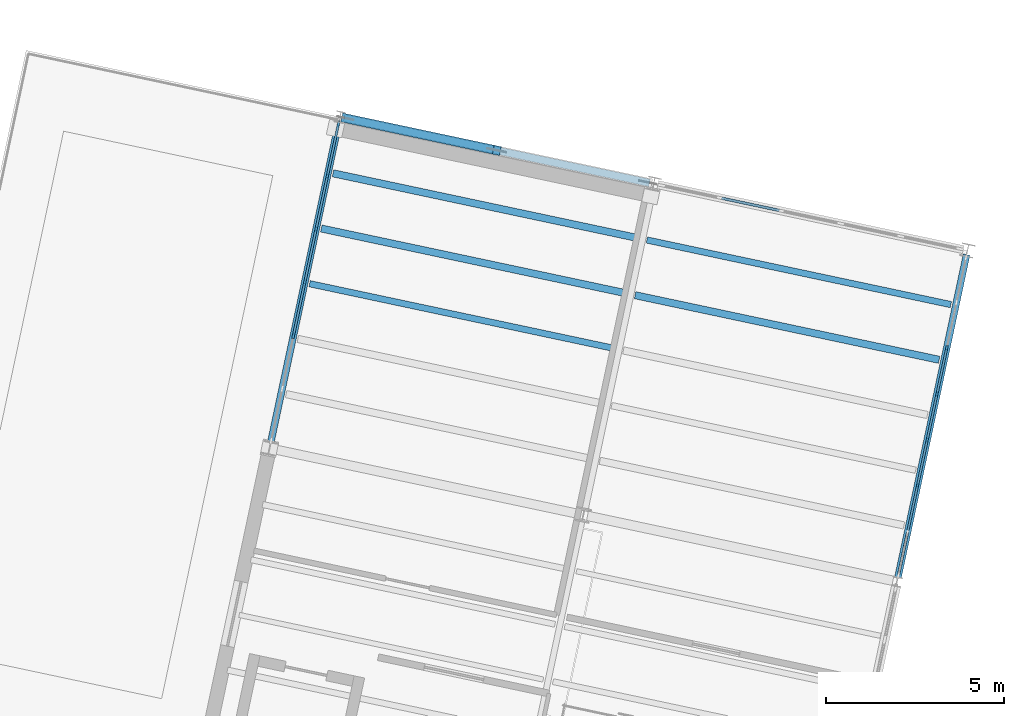
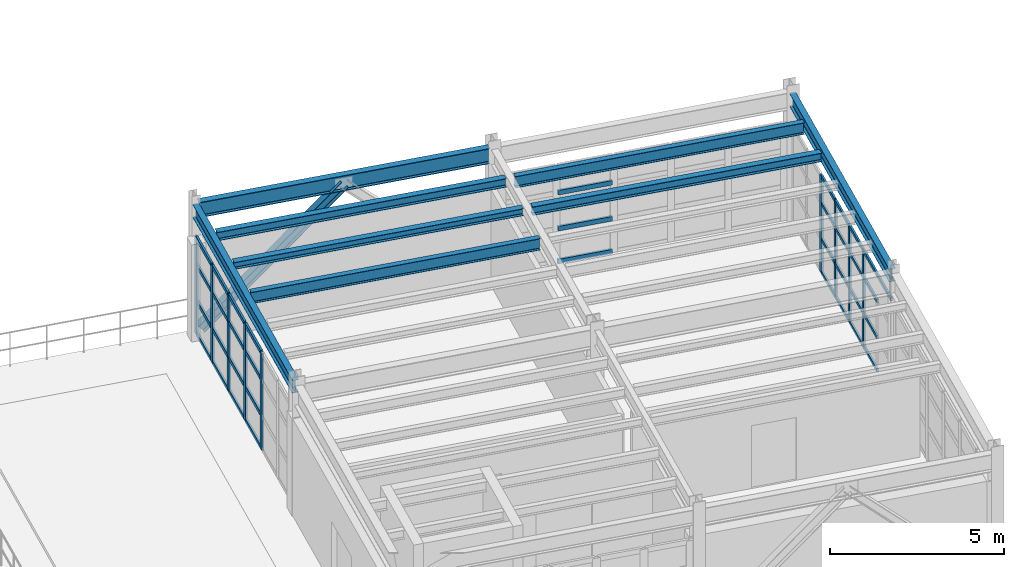
# One storey, part 56 of 109: 46 members, 8 beams, 3 elements without a shape of their own.
"""IFC4 building model written with IfcOpenShell, lengths in metres."""

from ifc_helpers import new_model, si_unit, direction, frame, origin, origin_2d, place, context, subcontext, project, spatial, rectangle, i_section, extrude, material, layer, layer_set, material_profile, profile_set, type_object, element, aggregate, save


model = new_model("IFC4")

# Units and contexts
model_context = context("Model", 3, precision=1e-05, world=origin(), true_north=direction((0.0, 1.0)))
body_context = subcontext(model_context, "Body", "Model", "MODEL_VIEW")
ifc_project = project(units=[si_unit("LENGTHUNIT", "METRE"), si_unit("AREAUNIT", "SQUARE_METRE"), si_unit("VOLUMEUNIT", "CUBIC_METRE"), si_unit("PLANEANGLEUNIT", "RADIAN"), si_unit("MASSUNIT", "GRAM", prefix="KILO")], contexts=[model_context])

# Site, building, storey
site_placement = place(None, origin())
site = spatial("IfcSite", under=ifc_project, at=site_placement, CompositionType="ELEMENT")
building_placement = place(site_placement, origin())
building = spatial("IfcBuilding", under=site, at=building_placement, Name="Vireo Bluff Cable Station", CompositionType="ELEMENT")
storey_placement = place(building_placement, frame((0.0, 0.0, 4.800048828125)))
storey = spatial("IfcBuildingStorey", under=building, at=storey_placement, Name="L01", CompositionType="ELEMENT", Elevation=4.800048828125)

# Member
ifc_material_1 = material(Name="Steel ASTM A992 Gr. 50", Category="steel")
ifc_material_profile_1 = material_profile(ifc_material_1, i_section(OverallWidth=0.25390625, OverallDepth=0.305908203125, WebThickness=0.0087890625, FlangeThickness=0.0146484375, FilletRadius=0.010986328125, at=origin_2d()), Name="W12X53")
ifc_profile_set_1 = profile_set([ifc_material_profile_1], Name="Steel ASTM A992 Gr. 50")
member_type_1 = type_object("IfcMemberType", Name="BRC-04", PredefinedType="BRACE", material=ifc_profile_set_1)
member_1_placement = place(storey_placement, frame((142.91015625, 26.680419921875, 0.0400390625), z_axis=(0.707775608155, -0.150445056806, 0.690231825827), x_axis=(0.207915270313, 0.978146839882, 0.0)))
element("IfcMember", 1, at=member_1_placement, inside=storey, type_object=member_type_1, Name="V5E L01 concentric brace 105L", PredefinedType="BRACE", context=body_context, shape_type="SweptSolid", body=[
    extrude(i_section(OverallWidth=0.25390625, OverallDepth=0.305908203125, WebThickness=0.0087890625, FlangeThickness=0.0146484375, FilletRadius=0.010986328125, at=origin_2d()), origin(), (0.0, 0.0, 1.0), 5.997802734375),
])

# Curtain wall, members
ifc_material_2 = material(Name="Anodized Aluminium 6063-T6", Category="aluminium")
ifc_layer_1 = layer(ifc_material_2, 0.179931640625, Name="Anodized Aluminium 6063-T6")
ifc_layer_set_1 = layer_set([ifc_layer_1], Name="Anodized Aluminium 6063-T6")
curtain_wall_type_1 = type_object("IfcCurtainWallType", Name="CW-UNIT-1500", PredefinedType="USERDEFINED", material=ifc_layer_set_1)
curtain_wall_1_placement = place(storey_placement, origin())
curtain_wall_1 = element("IfcCurtainWall", 2, at=curtain_wall_1_placement, inside=storey, type_object=curtain_wall_type_1, Name="V5E L01 west curtain wall CW-136", ObjectType="UNITISED CURTAIN WALL", PredefinedType="USERDEFINED")
ifc_material_profile_2 = material_profile(ifc_material_2, rectangle(XDim=0.06494140625, YDim=0.179931640625, at=origin_2d()), Name="ALU-M-65X180")
ifc_profile_set_2 = profile_set([ifc_material_profile_2], Name="Anodized Aluminium 6063-T6")
member_type_2 = type_object("IfcMemberType", Name="CWM-01", PredefinedType="MULLION", material=ifc_profile_set_2)
member_2_placement = place(storey_placement, frame((141.451171875, 20.586181640625, 0.0), z_axis=(0.0, 0.0, 1.0), x_axis=(-0.978147599921, 0.207911694642, 0.0)))
member_2 = element("IfcMember", 3, at=member_2_placement, type_object=member_type_2, Name="CW-136 mullion 3", PredefinedType="MULLION", context=body_context, shape_type="SweptSolid", body=[
    extrude(rectangle(XDim=0.06494140625, YDim=0.179931640625, at=origin_2d()), origin(), (0.0, 0.0, 1.0), 3.39990234375),
])
member_3_placement = place(storey_placement, frame((141.7685546875, 22.07958984375, 0.0), z_axis=(0.0, 0.0, 1.0), x_axis=(-0.978147599921, 0.207911694642, 0.0)))
member_3 = element("IfcMember", 4, at=member_3_placement, type_object=member_type_2, Name="CW-136 mullion 4", PredefinedType="MULLION", context=body_context, shape_type="SweptSolid", body=[
    extrude(rectangle(XDim=0.06494140625, YDim=0.179931640625, at=origin_2d()), origin(), (0.0, 0.0, 1.0), 3.39990234375),
])
member_4_placement = place(storey_placement, frame((142.086181640625, 23.572998046875, 0.0), z_axis=(0.0, 0.0, 1.0), x_axis=(-0.978147599921, 0.207911694642, 0.0)))
member_4 = element("IfcMember", 5, at=member_4_placement, type_object=member_type_2, Name="CW-136 mullion 5", PredefinedType="MULLION", context=body_context, shape_type="SweptSolid", body=[
    extrude(rectangle(XDim=0.06494140625, YDim=0.179931640625, at=origin_2d()), origin(), (0.0, 0.0, 1.0), 3.39990234375),
])
member_5_placement = place(storey_placement, frame((142.403564453125, 25.066650390625, 0.0), z_axis=(0.0, 0.0, 1.0), x_axis=(-0.978147599921, 0.207911694642, 0.0)))
member_5 = element("IfcMember", 6, at=member_5_placement, type_object=member_type_2, Name="CW-136 mullion 6", PredefinedType="MULLION", context=body_context, shape_type="SweptSolid", body=[
    extrude(rectangle(XDim=0.06494140625, YDim=0.179931640625, at=origin_2d()), origin(), (0.0, 0.0, 1.0), 3.39990234375),
])
member_6_placement = place(storey_placement, frame((142.71435546875, 26.5283203125, 0.0), z_axis=(0.0, 0.0, 1.0), x_axis=(-0.978147599921, 0.207911694642, 0.0)))
member_6 = element("IfcMember", 7, at=member_6_placement, type_object=member_type_2, Name="CW-136 mullion 7", PredefinedType="MULLION", context=body_context, shape_type="SweptSolid", body=[
    extrude(rectangle(XDim=0.06494140625, YDim=0.179931640625, at=origin_2d()), origin(), (0.0, 0.0, 1.0), 3.39990234375),
])

ifc_layer_2 = layer(ifc_material_2, 0.179931640625, Name="Anodized Aluminium 6063-T6")
ifc_layer_set_2 = layer_set([ifc_layer_2], Name="Anodized Aluminium 6063-T6")
curtain_wall_type_2 = type_object("IfcCurtainWallType", Name="CW-UNIT-1400", PredefinedType="USERDEFINED", material=ifc_layer_set_2)
curtain_wall_2_placement = place(storey_placement, origin())
curtain_wall_2 = element("IfcCurtainWall", 8, at=curtain_wall_2_placement, inside=storey, type_object=curtain_wall_type_2, Name="V5E L01 east curtain wall CW-138", ObjectType="UNITISED CURTAIN WALL", PredefinedType="USERDEFINED")
ifc_material_profile_3 = material_profile(ifc_material_2, rectangle(XDim=0.06005859375, YDim=0.159912109375, at=origin_2d()), Name="ALU-M-60X160")
ifc_profile_set_3 = profile_set([ifc_material_profile_3], Name="Anodized Aluminium 6063-T6")
member_type_3 = type_object("IfcMemberType", Name="CWM-03", PredefinedType="MULLION", material=ifc_profile_set_3)
member_7_placement = place(storey_placement, frame((159.77685546875, 20.2265625, 0.0), z_axis=(0.0, 0.0, 1.0), x_axis=(0.978147602084, -0.207911684467, 0.0)))
member_7 = element("IfcMember", 9, at=member_7_placement, type_object=member_type_3, Name="CW-138 mullion 3", PredefinedType="MULLION", context=body_context, shape_type="SweptSolid", body=[
    extrude(rectangle(XDim=0.06005859375, YDim=0.159912109375, at=origin_2d()), origin(), (0.0, 0.0, 1.0), 3.39990234375),
])
member_8_placement = place(storey_placement, frame((159.504150390625, 18.943115234375, 0.0), z_axis=(0.0, 0.0, 1.0), x_axis=(0.978147602084, -0.207911684467, 0.0)))
member_8 = element("IfcMember", 10, at=member_8_placement, type_object=member_type_3, Name="CW-138 mullion 4", PredefinedType="MULLION", context=body_context, shape_type="SweptSolid", body=[
    extrude(rectangle(XDim=0.06005859375, YDim=0.159912109375, at=origin_2d()), origin(), (0.0, 0.0, 1.0), 3.39990234375),
])
member_9_placement = place(storey_placement, frame((159.2314453125, 17.659912109375, 0.0), z_axis=(0.0, 0.0, 1.0), x_axis=(0.978147602084, -0.207911684467, 0.0)))
member_9 = element("IfcMember", 11, at=member_9_placement, type_object=member_type_3, Name="CW-138 mullion 5", PredefinedType="MULLION", context=body_context, shape_type="SweptSolid", body=[
    extrude(rectangle(XDim=0.06005859375, YDim=0.159912109375, at=origin_2d()), origin(), (0.0, 0.0, 1.0), 3.39990234375),
])
member_10_placement = place(storey_placement, frame((158.95849609375, 16.37646484375, 0.0), z_axis=(0.0, 0.0, 1.0), x_axis=(0.978147602084, -0.207911684467, 0.0)))
member_10 = element("IfcMember", 12, at=member_10_placement, type_object=member_type_3, Name="CW-138 mullion 6", PredefinedType="MULLION", context=body_context, shape_type="SweptSolid", body=[
    extrude(rectangle(XDim=0.06005859375, YDim=0.159912109375, at=origin_2d()), origin(), (0.0, 0.0, 1.0), 3.39990234375),
])

# Member
ifc_material_profile_4 = material_profile(ifc_material_2, rectangle(XDim=0.06494140625, YDim=0.139892578125, at=origin_2d()), Name="ALU-T-65X140")
ifc_profile_set_4 = profile_set([ifc_material_profile_4], Name="Anodized Aluminium 6063-T6")
member_type_4 = type_object("IfcMemberType", Name="CWT-01", PredefinedType="USERDEFINED", material=ifc_profile_set_4)
member_11_placement = place(storey_placement, frame((141.4580078125, 20.617919921875, 0.032470703125), z_axis=(0.207920673673, 0.978145691326, 0.0), x_axis=(-0.978145691326, 0.207920673673, 0.0)))
member_11 = element("IfcMember", 13, at=member_11_placement, type_object=member_type_4, Name="CW-136 transom 3.1", ObjectType="TRANSOM", PredefinedType="USERDEFINED", context=body_context, shape_type="SweptSolid", body=[
    extrude(rectangle(XDim=0.06494140625, YDim=0.139892578125, at=origin_2d()), origin(), (0.0, 0.0, 1.0), 1.4619140625),
])

member_12_placement = place(storey_placement, frame((141.4580078125, 20.617919921875, 1.18994140625), z_axis=(0.207920673673, 0.978145691326, 0.0), x_axis=(-0.978145691326, 0.207920673673, 0.0)))
member_12 = element("IfcMember", 14, at=member_12_placement, type_object=member_type_4, Name="CW-136 transom 3.2", ObjectType="TRANSOM", PredefinedType="USERDEFINED", context=body_context, shape_type="SweptSolid", body=[
    extrude(rectangle(XDim=0.06494140625, YDim=0.139892578125, at=origin_2d()), origin(), (0.0, 0.0, 1.0), 1.4619140625),
])

member_13_placement = place(storey_placement, frame((141.4580078125, 20.617919921875, 2.447998046875), z_axis=(0.207920673673, 0.978145691326, 0.0), x_axis=(-0.978145691326, 0.207920673673, 0.0)))
member_13 = element("IfcMember", 15, at=member_13_placement, type_object=member_type_4, Name="CW-136 transom 3.3", ObjectType="TRANSOM", PredefinedType="USERDEFINED", context=body_context, shape_type="SweptSolid", body=[
    extrude(rectangle(XDim=0.06494140625, YDim=0.139892578125, at=origin_2d()), origin(), (0.0, 0.0, 1.0), 1.4619140625),
])

member_14_placement = place(storey_placement, frame((141.4580078125, 20.617919921875, 3.367431640625), z_axis=(0.207920673673, 0.978145691326, 0.0), x_axis=(-0.978145691326, 0.207920673673, 0.0)))
member_14 = element("IfcMember", 16, at=member_14_placement, type_object=member_type_4, Name="CW-136 transom 3.4", ObjectType="TRANSOM", PredefinedType="USERDEFINED", context=body_context, shape_type="SweptSolid", body=[
    extrude(rectangle(XDim=0.06494140625, YDim=0.139892578125, at=origin_2d()), origin(), (0.0, 0.0, 1.0), 1.4619140625),
])

member_15_placement = place(storey_placement, frame((141.775390625, 22.111328125, 0.032470703125), z_axis=(0.207920673673, 0.978145691326, 0.0), x_axis=(-0.978145691326, 0.207920673673, 0.0)))
member_15 = element("IfcMember", 17, at=member_15_placement, type_object=member_type_4, Name="CW-136 transom 4.1", ObjectType="TRANSOM", PredefinedType="USERDEFINED", context=body_context, shape_type="SweptSolid", body=[
    extrude(rectangle(XDim=0.06494140625, YDim=0.139892578125, at=origin_2d()), origin(), (0.0, 0.0, 1.0), 1.4619140625),
])

member_16_placement = place(storey_placement, frame((141.775390625, 22.111328125, 1.18994140625), z_axis=(0.207920673673, 0.978145691326, 0.0), x_axis=(-0.978145691326, 0.207920673673, 0.0)))
member_16 = element("IfcMember", 18, at=member_16_placement, type_object=member_type_4, Name="CW-136 transom 4.2", ObjectType="TRANSOM", PredefinedType="USERDEFINED", context=body_context, shape_type="SweptSolid", body=[
    extrude(rectangle(XDim=0.06494140625, YDim=0.139892578125, at=origin_2d()), origin(), (0.0, 0.0, 1.0), 1.4619140625),
])

member_17_placement = place(storey_placement, frame((141.775390625, 22.111328125, 2.447998046875), z_axis=(0.207920673673, 0.978145691326, 0.0), x_axis=(-0.978145691326, 0.207920673673, 0.0)))
member_17 = element("IfcMember", 19, at=member_17_placement, type_object=member_type_4, Name="CW-136 transom 4.3", ObjectType="TRANSOM", PredefinedType="USERDEFINED", context=body_context, shape_type="SweptSolid", body=[
    extrude(rectangle(XDim=0.06494140625, YDim=0.139892578125, at=origin_2d()), origin(), (0.0, 0.0, 1.0), 1.4619140625),
])

member_18_placement = place(storey_placement, frame((141.775390625, 22.111328125, 3.367431640625), z_axis=(0.207920673673, 0.978145691326, 0.0), x_axis=(-0.978145691326, 0.207920673673, 0.0)))
member_18 = element("IfcMember", 20, at=member_18_placement, type_object=member_type_4, Name="CW-136 transom 4.4", ObjectType="TRANSOM", PredefinedType="USERDEFINED", context=body_context, shape_type="SweptSolid", body=[
    extrude(rectangle(XDim=0.06494140625, YDim=0.139892578125, at=origin_2d()), origin(), (0.0, 0.0, 1.0), 1.4619140625),
])

member_19_placement = place(storey_placement, frame((142.0927734375, 23.60498046875, 0.032470703125), z_axis=(0.207954643934, 0.978138469781, 0.0), x_axis=(-0.978138469781, 0.207954643934, 0.0)))
member_19 = element("IfcMember", 21, at=member_19_placement, type_object=member_type_4, Name="CW-136 transom 5.1", ObjectType="TRANSOM", PredefinedType="USERDEFINED", context=body_context, shape_type="SweptSolid", body=[
    extrude(rectangle(XDim=0.06494140625, YDim=0.139892578125, at=origin_2d()), origin(), (0.0, 0.0, 1.0), 1.461669921875),
])

member_20_placement = place(storey_placement, frame((142.0927734375, 23.60498046875, 1.18994140625), z_axis=(0.207954643934, 0.978138469781, 0.0), x_axis=(-0.978138469781, 0.207954643934, 0.0)))
member_20 = element("IfcMember", 22, at=member_20_placement, type_object=member_type_4, Name="CW-136 transom 5.2", ObjectType="TRANSOM", PredefinedType="USERDEFINED", context=body_context, shape_type="SweptSolid", body=[
    extrude(rectangle(XDim=0.06494140625, YDim=0.139892578125, at=origin_2d()), origin(), (0.0, 0.0, 1.0), 1.461669921875),
])

member_21_placement = place(storey_placement, frame((142.0927734375, 23.60498046875, 2.447998046875), z_axis=(0.207954643934, 0.978138469781, 0.0), x_axis=(-0.978138469781, 0.207954643934, 0.0)))
member_21 = element("IfcMember", 23, at=member_21_placement, type_object=member_type_4, Name="CW-136 transom 5.3", ObjectType="TRANSOM", PredefinedType="USERDEFINED", context=body_context, shape_type="SweptSolid", body=[
    extrude(rectangle(XDim=0.06494140625, YDim=0.139892578125, at=origin_2d()), origin(), (0.0, 0.0, 1.0), 1.461669921875),
])

member_22_placement = place(storey_placement, frame((142.0927734375, 23.60498046875, 3.367431640625), z_axis=(0.207954643934, 0.978138469781, 0.0), x_axis=(-0.978138469781, 0.207954643934, 0.0)))
member_22 = element("IfcMember", 24, at=member_22_placement, type_object=member_type_4, Name="CW-136 transom 5.4", ObjectType="TRANSOM", PredefinedType="USERDEFINED", context=body_context, shape_type="SweptSolid", body=[
    extrude(rectangle(XDim=0.06494140625, YDim=0.139892578125, at=origin_2d()), origin(), (0.0, 0.0, 1.0), 1.461669921875),
])

member_23_placement = place(storey_placement, frame((142.410400390625, 25.098388671875, 0.032470703125), z_axis=(0.207895530943, 0.978151035482, 0.0), x_axis=(-0.978151035482, 0.207895530943, 0.0)))
member_23 = element("IfcMember", 25, at=member_23_placement, type_object=member_type_4, Name="CW-136 transom 6.1", ObjectType="TRANSOM", PredefinedType="USERDEFINED", context=body_context, shape_type="SweptSolid", body=[
    extrude(rectangle(XDim=0.06494140625, YDim=0.139892578125, at=origin_2d()), origin(), (0.0, 0.0, 1.0), 1.42919921875),
])

member_24_placement = place(storey_placement, frame((142.410400390625, 25.098388671875, 1.18994140625), z_axis=(0.207895530943, 0.978151035482, 0.0), x_axis=(-0.978151035482, 0.207895530943, 0.0)))
member_24 = element("IfcMember", 26, at=member_24_placement, type_object=member_type_4, Name="CW-136 transom 6.2", ObjectType="TRANSOM", PredefinedType="USERDEFINED", context=body_context, shape_type="SweptSolid", body=[
    extrude(rectangle(XDim=0.06494140625, YDim=0.139892578125, at=origin_2d()), origin(), (0.0, 0.0, 1.0), 1.42919921875),
])

member_25_placement = place(storey_placement, frame((142.410400390625, 25.098388671875, 2.447998046875), z_axis=(0.207895530943, 0.978151035482, 0.0), x_axis=(-0.978151035482, 0.207895530943, 0.0)))
member_25 = element("IfcMember", 27, at=member_25_placement, type_object=member_type_4, Name="CW-136 transom 6.3", ObjectType="TRANSOM", PredefinedType="USERDEFINED", context=body_context, shape_type="SweptSolid", body=[
    extrude(rectangle(XDim=0.06494140625, YDim=0.139892578125, at=origin_2d()), origin(), (0.0, 0.0, 1.0), 1.42919921875),
])

member_26_placement = place(storey_placement, frame((142.410400390625, 25.098388671875, 3.367431640625), z_axis=(0.207895530943, 0.978151035482, 0.0), x_axis=(-0.978151035482, 0.207895530943, 0.0)))
member_26 = element("IfcMember", 28, at=member_26_placement, type_object=member_type_4, Name="CW-136 transom 6.4", ObjectType="TRANSOM", PredefinedType="USERDEFINED", context=body_context, shape_type="SweptSolid", body=[
    extrude(rectangle(XDim=0.06494140625, YDim=0.139892578125, at=origin_2d()), origin(), (0.0, 0.0, 1.0), 1.42919921875),
])

aggregate(curtain_wall_1, [member_2, member_3, member_4, member_5, member_6, member_11, member_12, member_13, member_14, member_15, member_16, member_17, member_18, member_19, member_20, member_21, member_22, member_23, member_24, member_25, member_26])

# Curtain wall, members
ifc_layer_3 = layer(ifc_material_2, 0.179931640625, Name="Anodized Aluminium 6063-T6")
ifc_layer_set_3 = layer_set([ifc_layer_3], Name="Anodized Aluminium 6063-T6")
curtain_wall_type_3 = type_object("IfcCurtainWallType", Name="CW-UNIT-1650", PredefinedType="USERDEFINED", material=ifc_layer_set_3)
curtain_wall_3_placement = place(storey_placement, origin())
curtain_wall_3 = element("IfcCurtainWall", 29, at=curtain_wall_3_placement, inside=storey, type_object=curtain_wall_type_3, Name="V5E L01 north curtain wall CW-137", ObjectType="UNITISED CURTAIN WALL", PredefinedType="USERDEFINED")
ifc_material_profile_5 = material_profile(ifc_material_2, rectangle(XDim=0.074951171875, YDim=0.159912109375, at=origin_2d()), Name="ALU-T-75X160")
ifc_profile_set_5 = profile_set([ifc_material_profile_5], Name="Anodized Aluminium 6063-T6")
member_type_5 = type_object("IfcMemberType", Name="CWT-02", PredefinedType="USERDEFINED", material=ifc_profile_set_5)
member_27_placement = place(storey_placement, frame((153.464111328125, 24.43701171875, 0.037353515625), z_axis=(0.978153962198, -0.207881760231, 0.0), x_axis=(0.207881760231, 0.978153962198, 0.0)))
member_27 = element("IfcMember", 30, at=member_27_placement, type_object=member_type_5, Name="CW-137 transom 2.1", ObjectType="TRANSOM", PredefinedType="USERDEFINED", context=body_context, shape_type="SweptSolid", body=[
    extrude(rectangle(XDim=0.074951171875, YDim=0.159912109375, at=origin_2d()), origin(), (0.0, 0.0, 1.0), 1.650146484375),
])
member_28_placement = place(storey_placement, frame((153.464111328125, 24.43701171875, 1.18994140625), z_axis=(0.978153962198, -0.207881760231, 0.0), x_axis=(0.207881760231, 0.978153962198, 0.0)))
member_28 = element("IfcMember", 31, at=member_28_placement, type_object=member_type_5, Name="CW-137 transom 2.2", ObjectType="TRANSOM", PredefinedType="USERDEFINED", context=body_context, shape_type="SweptSolid", body=[
    extrude(rectangle(XDim=0.074951171875, YDim=0.159912109375, at=origin_2d()), origin(), (0.0, 0.0, 1.0), 1.650146484375),
])
member_29_placement = place(storey_placement, frame((153.464111328125, 24.43701171875, 2.447998046875), z_axis=(0.978153962198, -0.207881760231, 0.0), x_axis=(0.207881760231, 0.978153962198, 0.0)))
member_29 = element("IfcMember", 32, at=member_29_placement, type_object=member_type_5, Name="CW-137 transom 2.3", ObjectType="TRANSOM", PredefinedType="USERDEFINED", context=body_context, shape_type="SweptSolid", body=[
    extrude(rectangle(XDim=0.074951171875, YDim=0.159912109375, at=origin_2d()), origin(), (0.0, 0.0, 1.0), 1.650146484375),
])
aggregate(curtain_wall_3, [member_27, member_28, member_29])

# Member
ifc_material_profile_6 = material_profile(ifc_material_2, rectangle(XDim=0.06005859375, YDim=0.1201171875, at=origin_2d()), Name="ALU-T-60X120")
ifc_profile_set_6 = profile_set([ifc_material_profile_6], Name="Anodized Aluminium 6063-T6")
member_type_6 = type_object("IfcMemberType", Name="CWT-03", PredefinedType="USERDEFINED", material=ifc_profile_set_6)
member_30_placement = place(storey_placement, frame((159.770751953125, 20.197265625, 0.030029296875), z_axis=(-0.208024305746, -0.978123656916, 0.0), x_axis=(0.978123656916, -0.208024305746, 0.0)))
member_30 = element("IfcMember", 33, at=member_30_placement, type_object=member_type_6, Name="CW-138 transom 3.1", ObjectType="TRANSOM", PredefinedType="USERDEFINED", context=body_context, shape_type="SweptSolid", body=[
    extrude(rectangle(XDim=0.06005859375, YDim=0.1201171875, at=origin_2d()), origin(), (0.0, 0.0, 1.0), 1.252197265625),
])

member_31_placement = place(storey_placement, frame((159.770751953125, 20.197265625, 1.18994140625), z_axis=(-0.208024305746, -0.978123656916, 0.0), x_axis=(0.978123656916, -0.208024305746, 0.0)))
member_31 = element("IfcMember", 34, at=member_31_placement, type_object=member_type_6, Name="CW-138 transom 3.2", ObjectType="TRANSOM", PredefinedType="USERDEFINED", context=body_context, shape_type="SweptSolid", body=[
    extrude(rectangle(XDim=0.06005859375, YDim=0.1201171875, at=origin_2d()), origin(), (0.0, 0.0, 1.0), 1.252197265625),
])

member_32_placement = place(storey_placement, frame((159.770751953125, 20.197265625, 2.447998046875), z_axis=(-0.208024305746, -0.978123656916, 0.0), x_axis=(0.978123656916, -0.208024305746, 0.0)))
member_32 = element("IfcMember", 35, at=member_32_placement, type_object=member_type_6, Name="CW-138 transom 3.3", ObjectType="TRANSOM", PredefinedType="USERDEFINED", context=body_context, shape_type="SweptSolid", body=[
    extrude(rectangle(XDim=0.06005859375, YDim=0.1201171875, at=origin_2d()), origin(), (0.0, 0.0, 1.0), 1.252197265625),
])

member_33_placement = place(storey_placement, frame((159.770751953125, 20.197265625, 3.369873046875), z_axis=(-0.208024305746, -0.978123656916, 0.0), x_axis=(0.978123656916, -0.208024305746, 0.0)))
member_33 = element("IfcMember", 36, at=member_33_placement, type_object=member_type_6, Name="CW-138 transom 3.4", ObjectType="TRANSOM", PredefinedType="USERDEFINED", context=body_context, shape_type="SweptSolid", body=[
    extrude(rectangle(XDim=0.06005859375, YDim=0.1201171875, at=origin_2d()), origin(), (0.0, 0.0, 1.0), 1.252197265625),
])

member_34_placement = place(storey_placement, frame((159.497802734375, 18.913818359375, 0.030029296875), z_axis=(-0.207877413945, -0.97815488588, 0.0), x_axis=(0.97815488588, -0.207877413945, 0.0)))
member_34 = element("IfcMember", 37, at=member_34_placement, type_object=member_type_6, Name="CW-138 transom 4.1", ObjectType="TRANSOM", PredefinedType="USERDEFINED", context=body_context, shape_type="SweptSolid", body=[
    extrude(rectangle(XDim=0.06005859375, YDim=0.1201171875, at=origin_2d()), origin(), (0.0, 0.0, 1.0), 1.251953125),
])

member_35_placement = place(storey_placement, frame((159.497802734375, 18.913818359375, 1.18994140625), z_axis=(-0.207877413945, -0.97815488588, 0.0), x_axis=(0.97815488588, -0.207877413945, 0.0)))
member_35 = element("IfcMember", 38, at=member_35_placement, type_object=member_type_6, Name="CW-138 transom 4.2", ObjectType="TRANSOM", PredefinedType="USERDEFINED", context=body_context, shape_type="SweptSolid", body=[
    extrude(rectangle(XDim=0.06005859375, YDim=0.1201171875, at=origin_2d()), origin(), (0.0, 0.0, 1.0), 1.251953125),
])

member_36_placement = place(storey_placement, frame((159.497802734375, 18.913818359375, 2.447998046875), z_axis=(-0.207877413945, -0.97815488588, 0.0), x_axis=(0.97815488588, -0.207877413945, 0.0)))
member_36 = element("IfcMember", 39, at=member_36_placement, type_object=member_type_6, Name="CW-138 transom 4.3", ObjectType="TRANSOM", PredefinedType="USERDEFINED", context=body_context, shape_type="SweptSolid", body=[
    extrude(rectangle(XDim=0.06005859375, YDim=0.1201171875, at=origin_2d()), origin(), (0.0, 0.0, 1.0), 1.251953125),
])

member_37_placement = place(storey_placement, frame((159.497802734375, 18.913818359375, 3.369873046875), z_axis=(-0.207877413945, -0.97815488588, 0.0), x_axis=(0.97815488588, -0.207877413945, 0.0)))
member_37 = element("IfcMember", 40, at=member_37_placement, type_object=member_type_6, Name="CW-138 transom 4.4", ObjectType="TRANSOM", PredefinedType="USERDEFINED", context=body_context, shape_type="SweptSolid", body=[
    extrude(rectangle(XDim=0.06005859375, YDim=0.1201171875, at=origin_2d()), origin(), (0.0, 0.0, 1.0), 1.251953125),
])

member_38_placement = place(storey_placement, frame((159.22509765625, 17.630615234375, 0.030029296875), z_axis=(-0.207837769342, -0.978163310309, 0.0), x_axis=(0.978163310309, -0.207837769342, 0.0)))
member_38 = element("IfcMember", 41, at=member_38_placement, type_object=member_type_6, Name="CW-138 transom 5.1", ObjectType="TRANSOM", PredefinedType="USERDEFINED", context=body_context, shape_type="SweptSolid", body=[
    extrude(rectangle(XDim=0.06005859375, YDim=0.1201171875, at=origin_2d()), origin(), (0.0, 0.0, 1.0), 1.252197265625),
])

member_39_placement = place(storey_placement, frame((159.22509765625, 17.630615234375, 1.18994140625), z_axis=(-0.207837769342, -0.978163310309, 0.0), x_axis=(0.978163310309, -0.207837769342, 0.0)))
member_39 = element("IfcMember", 42, at=member_39_placement, type_object=member_type_6, Name="CW-138 transom 5.2", ObjectType="TRANSOM", PredefinedType="USERDEFINED", context=body_context, shape_type="SweptSolid", body=[
    extrude(rectangle(XDim=0.06005859375, YDim=0.1201171875, at=origin_2d()), origin(), (0.0, 0.0, 1.0), 1.252197265625),
])

member_40_placement = place(storey_placement, frame((159.22509765625, 17.630615234375, 2.447998046875), z_axis=(-0.207837769342, -0.978163310309, 0.0), x_axis=(0.978163310309, -0.207837769342, 0.0)))
member_40 = element("IfcMember", 43, at=member_40_placement, type_object=member_type_6, Name="CW-138 transom 5.3", ObjectType="TRANSOM", PredefinedType="USERDEFINED", context=body_context, shape_type="SweptSolid", body=[
    extrude(rectangle(XDim=0.06005859375, YDim=0.1201171875, at=origin_2d()), origin(), (0.0, 0.0, 1.0), 1.252197265625),
])

member_41_placement = place(storey_placement, frame((159.22509765625, 17.630615234375, 3.369873046875), z_axis=(-0.207837769342, -0.978163310309, 0.0), x_axis=(0.978163310309, -0.207837769342, 0.0)))
member_41 = element("IfcMember", 44, at=member_41_placement, type_object=member_type_6, Name="CW-138 transom 5.4", ObjectType="TRANSOM", PredefinedType="USERDEFINED", context=body_context, shape_type="SweptSolid", body=[
    extrude(rectangle(XDim=0.06005859375, YDim=0.1201171875, at=origin_2d()), origin(), (0.0, 0.0, 1.0), 1.252197265625),
])

member_42_placement = place(storey_placement, frame((158.952392578125, 16.34716796875, 0.030029296875), z_axis=(-0.207877413945, -0.97815488588, 0.0), x_axis=(0.97815488588, -0.207877413945, 0.0)))
member_42 = element("IfcMember", 45, at=member_42_placement, type_object=member_type_6, Name="CW-138 transom 6.1", ObjectType="TRANSOM", PredefinedType="USERDEFINED", context=body_context, shape_type="SweptSolid", body=[
    extrude(rectangle(XDim=0.06005859375, YDim=0.1201171875, at=origin_2d()), origin(), (0.0, 0.0, 1.0), 1.251953125),
])

member_43_placement = place(storey_placement, frame((158.952392578125, 16.34716796875, 1.18994140625), z_axis=(-0.207877413945, -0.97815488588, 0.0), x_axis=(0.97815488588, -0.207877413945, 0.0)))
member_43 = element("IfcMember", 46, at=member_43_placement, type_object=member_type_6, Name="CW-138 transom 6.2", ObjectType="TRANSOM", PredefinedType="USERDEFINED", context=body_context, shape_type="SweptSolid", body=[
    extrude(rectangle(XDim=0.06005859375, YDim=0.1201171875, at=origin_2d()), origin(), (0.0, 0.0, 1.0), 1.251953125),
])

member_44_placement = place(storey_placement, frame((158.952392578125, 16.34716796875, 2.447998046875), z_axis=(-0.207877413945, -0.97815488588, 0.0), x_axis=(0.97815488588, -0.207877413945, 0.0)))
member_44 = element("IfcMember", 47, at=member_44_placement, type_object=member_type_6, Name="CW-138 transom 6.3", ObjectType="TRANSOM", PredefinedType="USERDEFINED", context=body_context, shape_type="SweptSolid", body=[
    extrude(rectangle(XDim=0.06005859375, YDim=0.1201171875, at=origin_2d()), origin(), (0.0, 0.0, 1.0), 1.251953125),
])

member_45_placement = place(storey_placement, frame((158.952392578125, 16.34716796875, 3.369873046875), z_axis=(-0.207877413945, -0.97815488588, 0.0), x_axis=(0.97815488588, -0.207877413945, 0.0)))
member_45 = element("IfcMember", 48, at=member_45_placement, type_object=member_type_6, Name="CW-138 transom 6.4", ObjectType="TRANSOM", PredefinedType="USERDEFINED", context=body_context, shape_type="SweptSolid", body=[
    extrude(rectangle(XDim=0.06005859375, YDim=0.1201171875, at=origin_2d()), origin(), (0.0, 0.0, 1.0), 1.251953125),
])

member_46_placement = place(storey_placement, frame((158.679443359375, 15.06396484375, 3.369873046875), z_axis=(-0.207782291722, -0.978175096415, 0.0), x_axis=(0.978175096415, -0.207782291722, 0.0)))
member_46 = element("IfcMember", 49, at=member_46_placement, type_object=member_type_6, Name="CW-138 transom 7.4", ObjectType="TRANSOM", PredefinedType="USERDEFINED", context=body_context, shape_type="SweptSolid", body=[
    extrude(rectangle(XDim=0.06005859375, YDim=0.1201171875, at=origin_2d()), origin(), (0.0, 0.0, 1.0), 1.221923828125),
])

aggregate(curtain_wall_2, [member_7, member_8, member_9, member_10, member_30, member_31, member_32, member_33, member_34, member_35, member_36, member_37, member_38, member_39, member_40, member_41, member_42, member_43, member_44, member_45, member_46])

# Beams
ifc_material_profile_7 = material_profile(ifc_material_1, i_section(OverallWidth=0.201904296875, OverallDepth=0.2470703125, WebThickness=0.00732421875, FlangeThickness=0.010986328125, FilletRadius=0.009033203125, at=origin_2d()), Name="W10X33")
ifc_profile_set_7 = profile_set([ifc_material_profile_7], Name="Steel ASTM A992 Gr. 50")
beam_type_1 = type_object("IfcBeamType", Name="JST-W10X33", PredefinedType="JOIST", material=ifc_profile_set_7)
beam_1_placement = place(storey_placement, frame((142.232177734375, 23.5869140625, 4.37646484375), z_axis=(0.978148105174, -0.207909317601, 0.0), x_axis=(0.207909317601, 0.978148105174, 0.0)))
element("IfcBeam", 50, at=beam_1_placement, inside=storey, type_object=beam_type_1, Name="V5E L01 composite joist 1353", PredefinedType="JOIST", context=body_context, shape_type="SweptSolid", body=[
    extrude(i_section(OverallWidth=0.201904296875, OverallDepth=0.2470703125, WebThickness=0.00732421875, FlangeThickness=0.010986328125, FilletRadius=0.009033203125, at=origin_2d()), origin(), (0.0, 0.0, 1.0), 8.719970703125),
])
ifc_material_profile_8 = material_profile(ifc_material_1, i_section(OverallWidth=0.202880859375, OverallDepth=0.302978515625, WebThickness=0.007568359375, FlangeThickness=0.01318359375, FilletRadius=0.010009765625, at=origin_2d()), Name="W12X40")
ifc_profile_set_8 = profile_set([ifc_material_profile_8], Name="Steel ASTM A992 Gr. 50")
beam_type_2 = type_object("IfcBeamType", Name="JST-W12X40", PredefinedType="JOIST", material=ifc_profile_set_8)
for number, where, z_axis, x_axis, name in (
    (51, (142.561279296875, 25.1357421875, 4.348388671875), (0.978148105174, -0.207909317601, 0.0), (0.207909317601, 0.978148105174, 0.0), "V5E L01 composite joist 1354"),
    (52, (151.03564453125, 21.7158203125, 4.348388671875), (0.978146894897, -0.207915011493, 0.0), (0.207915011493, 0.978146894897, 0.0), "V5E L01 composite joist 1361"),
):
    element("IfcBeam", number, at=place(storey_placement, frame(where, z_axis=z_axis, x_axis=x_axis)), inside=storey, type_object=beam_type_2, Name=name, PredefinedType="JOIST", context=body_context, shape_type="SweptSolid", body=[
        extrude(i_section(OverallWidth=0.202880859375, OverallDepth=0.302978515625, WebThickness=0.007568359375, FlangeThickness=0.01318359375, FilletRadius=0.010009765625, at=origin_2d()), origin(), (0.0, 0.0, 1.0), 8.719970703125),
    ])
ifc_material_profile_9 = material_profile(ifc_material_1, i_section(OverallWidth=0.177978515625, OverallDepth=0.404052734375, WebThickness=0.007568359375, FlangeThickness=0.010986328125, FilletRadius=0.010009765625, at=origin_2d()), Name="W16X36")
ifc_profile_set_9 = profile_set([ifc_material_profile_9], Name="Steel ASTM A992 Gr. 50")
beam_type_3 = type_object("IfcBeamType", Name="JST-W16X36", PredefinedType="JOIST", material=ifc_profile_set_9)
for number, where, z_axis, x_axis, name in (
    (53, (141.903076171875, 22.038330078125, 4.2978515625), (0.978146894897, -0.207915011493, 0.0), (0.207915011493, 0.978146894897, 0.0), "V5E L01 composite joist 1352"),
    (54, (151.36474609375, 23.2646484375, 4.2978515625), (0.978148105174, -0.207909317601, 0.0), (0.207909317601, 0.978148105174, 0.0), "V5E L01 composite joist 1362"),
):
    element("IfcBeam", number, at=place(storey_placement, frame(where, z_axis=z_axis, x_axis=x_axis)), inside=storey, type_object=beam_type_3, Name=name, PredefinedType="JOIST", context=body_context, shape_type="SweptSolid", body=[
        extrude(i_section(OverallWidth=0.177978515625, OverallDepth=0.404052734375, WebThickness=0.007568359375, FlangeThickness=0.010986328125, FilletRadius=0.010009765625, at=origin_2d()), origin(), (0.0, 0.0, 1.0), 8.719970703125),
    ])
ifc_material_profile_10 = material_profile(ifc_material_1, i_section(OverallWidth=0.19091796875, OverallDepth=0.45703125, WebThickness=0.009033203125, FlangeThickness=0.014404296875, FilletRadius=0.011962890625, at=origin_2d()), Name="W18X50")
ifc_profile_set_10 = profile_set([ifc_material_profile_10], Name="Steel ASTM A992 Gr. 50")
beam_type_4 = type_object("IfcBeamType", Name="SPN-W18X50", PredefinedType="SPANDREL", material=ifc_profile_set_10)
for number, where, z_axis, x_axis, name in (
    (55, (140.803466796875, 17.53857421875, 4.271484375), (0.207915514037, 0.978146788076, 0.0), (-0.978146788076, 0.207915514037, 0.0), "V5E L01 spandrel 1340"),
    (56, (158.41015625, 13.796142578125, 4.271484375), (0.207915514037, 0.978146788076, 0.0), (-0.978146788076, 0.207915514037, 0.0), "V5E L01 spandrel 1344"),
):
    element("IfcBeam", number, at=place(storey_placement, frame(where, z_axis=z_axis, x_axis=x_axis)), inside=storey, type_object=beam_type_4, Name=name, PredefinedType="SPANDREL", context=body_context, shape_type="SweptSolid", body=[
        extrude(i_section(OverallWidth=0.19091796875, OverallDepth=0.45703125, WebThickness=0.009033203125, FlangeThickness=0.014404296875, FilletRadius=0.011962890625, at=origin_2d()), origin(), (0.0, 0.0, 1.0), 9.260009765625),
    ])
ifc_material_profile_11 = material_profile(ifc_material_1, i_section(OverallWidth=0.2099609375, OverallDepth=0.535888671875, WebThickness=0.010986328125, FlangeThickness=0.017333984375, FilletRadius=0.012939453125, at=origin_2d()), Name="W21X68")
ifc_profile_set_11 = profile_set([ifc_material_profile_11], Name="Steel ASTM A992 Gr. 50")
beam_type_5 = type_object("IfcBeamType", Name="SPN-W21X68", PredefinedType="SPANDREL", material=ifc_profile_set_11)
beam_2_placement = place(storey_placement, frame((142.87109375, 26.688720703125, 4.23193359375), z_axis=(0.978148154167, -0.207909087104, 0.0), x_axis=(0.207909087104, 0.978148154167, 0.0)))
element("IfcBeam", 57, at=beam_2_placement, inside=storey, type_object=beam_type_5, Name="V5E L01 spandrel 1337", PredefinedType="SPANDREL", context=body_context, shape_type="SweptSolid", body=[
    extrude(i_section(OverallWidth=0.2099609375, OverallDepth=0.535888671875, WebThickness=0.010986328125, FlangeThickness=0.017333984375, FilletRadius=0.012939453125, at=origin_2d()), origin(), (0.0, 0.0, 1.0), 8.760009765625),
])

save(model, "model.ifc")
